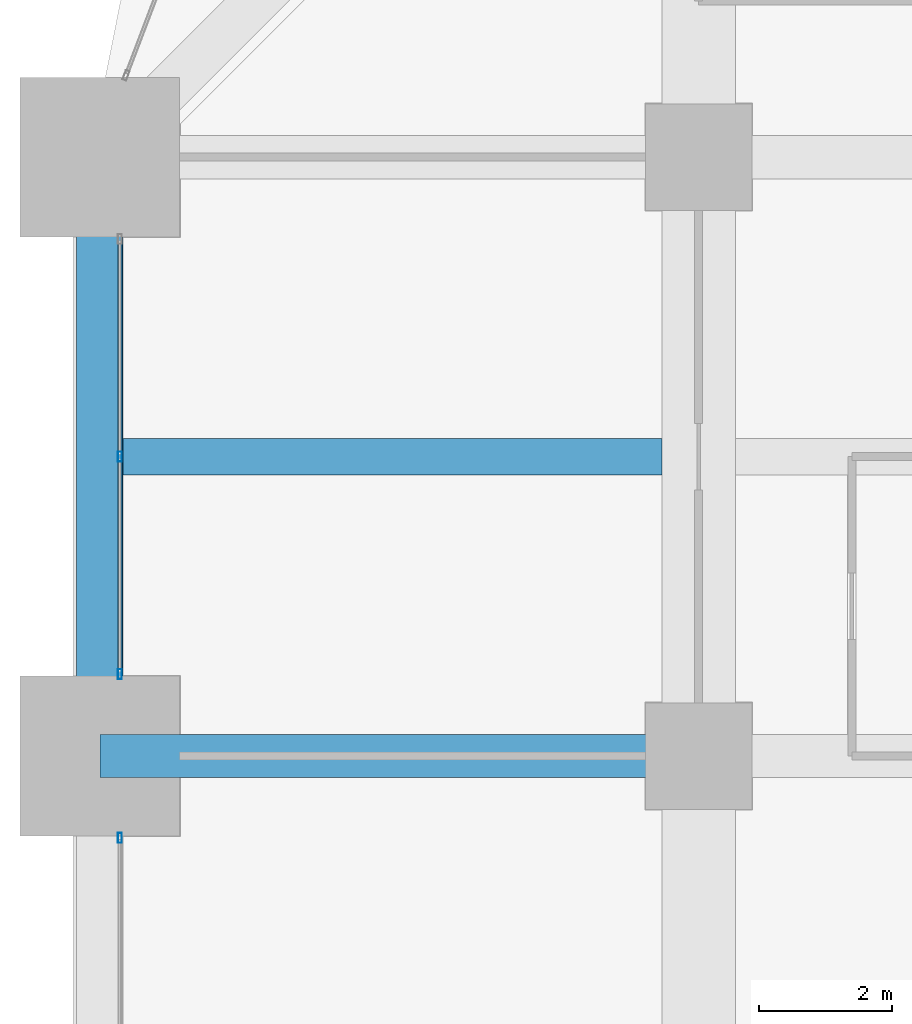
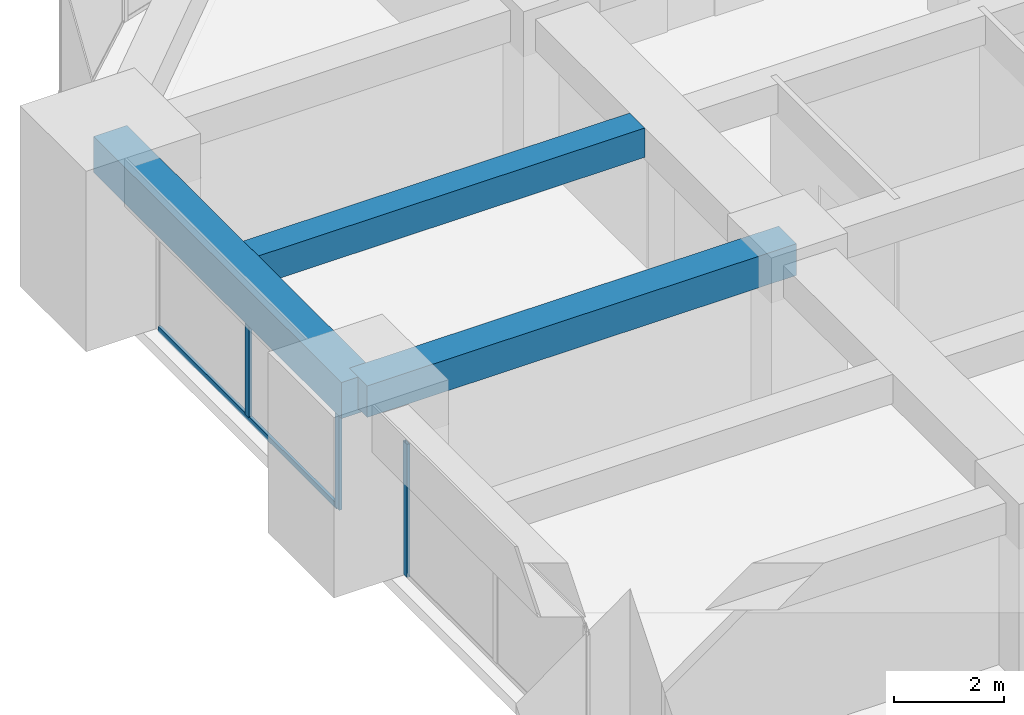
# One storey, part 11 of 32: 4 members, 3 beams, 2 elements without a shape of their own.
"""IFC4 building model written with IfcOpenShell, lengths in metres."""

import ifcopenshell
import ifcopenshell.guid

model = None  # the IFC model being written
_history = None  # IfcOwnerHistory: only IFC2X3 demands one
_inside = {}  # id of a spatial element -> (the spatial element, [elements in it])
_under = {}  # id of a project, library or spatial element -> (it, [spatial elements below it])
_declared = {}  # id of a project -> (the project, [libraries it declares])
_typed = {}  # id of a type object -> (the type object, [elements of that type])
_made_of = {}  # id of a material, layer set ... -> (it, [elements and type objects made of it])


def new_model(schema):
    """Start an empty IFC model of exactly this schema.

    Asked for "IFC4X3", IfcOpenShell would pick the latest addendum, in which some entities
    have other attributes; the version numbers below select the first issue.
    IFC2X3 requires an IfcOwnerHistory on every rooted entity: one is made here for all.
    """
    global model, _history
    if schema == "IFC4X3":
        model = ifcopenshell.file(schema_version=(4, 3, 0, 0))
    else:
        model = ifcopenshell.file(schema=schema)
    _inside.clear()
    _under.clear()
    _declared.clear()
    _typed.clear()
    _made_of.clear()
    _history = None
    if model.schema == "IFC2X3":
        org = make("IfcOrganization", Name="unknown")
        user = make(
            "IfcPersonAndOrganization",
            ThePerson=make("IfcPerson", FamilyName="unknown"),
            TheOrganization=org,
        )
        app = make(
            "IfcApplication",
            ApplicationDeveloper=org,
            Version="unknown",
            ApplicationFullName="unknown",
            ApplicationIdentifier="unknown",
        )
        _history = make(
            "IfcOwnerHistory",
            OwningUser=user,
            OwningApplication=app,
            ChangeAction="ADDED",
            CreationDate=0,
        )
    return model


def make(cls, **values):
    """One entity of the class cls with the attributes given. An attribute that is None is left unset."""
    return model.create_entity(
        cls, **{name: value for name, value in values.items() if value is not None}
    )


def rooted(cls, **values):
    """An entity with a GlobalId (a new one), such as an element, a storey or a relation."""
    return make(cls, GlobalId=ifcopenshell.guid.new(), OwnerHistory=_history, **values)


def si_unit(unit_type, name, prefix=None):
    """IfcSIUnit, for example si_unit("LENGTHUNIT", "METRE", prefix="MILLI")."""
    return make("IfcSIUnit", UnitType=unit_type, Prefix=prefix, Name=name)


def assignment(units):
    """IfcUnitAssignment: the units of a project."""
    return None if units is None else make("IfcUnitAssignment", Units=units)


def point(xyz):
    """IfcCartesianPoint."""
    return None if xyz is None else make("IfcCartesianPoint", Coordinates=xyz)


def direction(xyz):
    """IfcDirection."""
    return None if xyz is None else make("IfcDirection", DirectionRatios=xyz)


def frame(location, z_axis=None, x_axis=None):
    """IfcAxis2Placement3D, a coordinate frame: its origin and axes. An axis left out is left unset."""
    return make(
        "IfcAxis2Placement3D",
        Location=point(location),
        Axis=direction(z_axis),
        RefDirection=direction(x_axis),
    )


def frame_2d(location, x_axis=None):
    """IfcAxis2Placement2D, a coordinate frame in the plane: its origin and x axis."""
    return make(
        "IfcAxis2Placement2D", Location=point(location), RefDirection=direction(x_axis)
    )


def origin():
    """The frame at (0, 0, 0) with its axes left unset."""
    return frame((0.0, 0.0, 0.0))


def origin_2d():
    """The frame at (0, 0) in the plane with its x axis left unset."""
    return frame_2d((0.0, 0.0))


def place(relative_to, where):
    """IfcLocalPlacement: puts the frame where relative to a parent placement (None: the world)."""
    return make(
        "IfcLocalPlacement", PlacementRelTo=relative_to, RelativePlacement=where
    )


def context(
    kind, dimensions, precision=None, world=None, true_north=None, identifier=None
):
    """IfcGeometricRepresentationContext, for example the 3D "Model" context."""
    return make(
        "IfcGeometricRepresentationContext",
        ContextIdentifier=identifier,
        ContextType=kind,
        CoordinateSpaceDimension=dimensions,
        Precision=precision,
        WorldCoordinateSystem=world,
        TrueNorth=true_north,
    )


def subcontext(parent, identifier, kind, view, scale=None):
    """IfcGeometricRepresentationSubContext, for example "Body" below "Model"."""
    return make(
        "IfcGeometricRepresentationSubContext",
        ContextIdentifier=identifier,
        ContextType=kind,
        ParentContext=parent,
        TargetScale=scale,
        TargetView=view,
    )


def project(units=None, contexts=None):
    """IfcProject with its units and contexts."""
    return rooted(
        "IfcProject",
        Name="project",
        RepresentationContexts=contexts,
        UnitsInContext=assignment(units),
    )


def spatial(cls, under=None, at=None, **own):
    """A site, building, storey or space (cls), placed at a placement, below another one or the project."""
    s = rooted(cls, ObjectPlacement=at, **own)
    if under is not None:
        _under.setdefault(under.id(), (under, []))[1].append(s)
    return s


def profile(cls, at=None, kind="AREA", **sizes):
    """A parametric profile (cls). Its sizes go by their IFC names, for example OverallWidth=200.0."""
    return make(cls, ProfileType=kind, Position=at, **sizes)


def rectangle(**sizes):
    """IfcRectangleProfileDef."""
    return profile("IfcRectangleProfileDef", **sizes)


def hollow_rectangle(**sizes):
    """IfcRectangleHollowProfileDef."""
    return profile("IfcRectangleHollowProfileDef", **sizes)


def extrude(swept, where, along, depth):
    """IfcExtrudedAreaSolid: the profile swept, set in the frame where, extruded along a direction by depth."""
    return make(
        "IfcExtrudedAreaSolid",
        SweptArea=swept,
        Position=where,
        ExtrudedDirection=direction(along),
        Depth=depth,
    )


def shape(context_of_items, identifier, shape_type, items):
    """IfcShapeRepresentation: the items that make up one representation, for example the "Body"."""
    return make(
        "IfcShapeRepresentation",
        ContextOfItems=context_of_items,
        RepresentationIdentifier=identifier,
        RepresentationType=shape_type,
        Items=items,
    )


def material(Name=None, Category=None):
    """IfcMaterial."""
    return make("IfcMaterial", Name=Name, Category=Category)


def material_profile(
    of_material, cross_section, Name=None, Category=None, Priority=None
):
    """IfcMaterialProfile: a cross section and its material."""
    return make(
        "IfcMaterialProfile",
        Name=Name,
        Material=of_material,
        Profile=cross_section,
        Priority=Priority,
        Category=Category,
    )


def profile_set(profiles, Name=None, composite=None):
    """IfcMaterialProfileSet."""
    return make(
        "IfcMaterialProfileSet",
        Name=Name,
        MaterialProfiles=profiles,
        CompositeProfile=composite,
    )


def made_of(thing, what):
    """Note that an element or type object is made of a material, layer set ...; save() writes the relation."""
    if what is not None:
        _made_of.setdefault(what.id(), (what, []))[1].append(thing)
    return thing


def type_object(cls, material=None, **own):
    """A type object (cls), such as IfcWallType, which elements share."""
    return made_of(rooted(cls, **own), material)


def element(
    cls,
    number,
    at=None,
    inside=None,
    cuts=None,
    type_object=None,
    material=None,
    context=None,
    identifier="Body",
    shape_type=None,
    held_by="IfcProductDefinitionShape",
    body=None,
    shapes=None,
    **own,
):
    """One element of the class cls, such as IfcWall. Its Tag is "e" and its number.

    at: its placement. inside: the storey or other place that contains it. cuts: it is an
    opening in that element (IfcRelVoidsElement). A single representation is given by context,
    identifier, shape_type and body (its items); several are given by shapes. held_by: the class
    of the entity that holds the representations. save() writes the other relations.
    """
    e = rooted(cls, Tag="e%d" % number, ObjectPlacement=at, **own)
    if body is not None:
        shapes = [shape(context, identifier, shape_type, body)]
    if shapes is not None:
        e.Representation = make(held_by, Representations=shapes)
    if inside is not None:
        _inside.setdefault(inside.id(), (inside, []))[1].append(e)
    if cuts is not None:
        rooted(
            "IfcRelVoidsElement", RelatingBuildingElement=cuts, RelatedOpeningElement=e
        )
    if type_object is not None:
        _typed.setdefault(type_object.id(), (type_object, []))[1].append(e)
    return made_of(e, material)


def aggregate(whole, parts):
    """IfcRelAggregates: a whole, such as a stair, and the parts it consists of."""
    return rooted("IfcRelAggregates", RelatingObject=whole, RelatedObjects=parts)


def save(model, path):
    """Write the relations noted so far, then the file.

    IfcRelAggregates (storeys below a building ...), IfcRelContainedInSpatialStructure (elements
    in a storey), IfcRelDefinesByType, IfcRelAssociatesMaterial and IfcRelDeclares: one each for
    every whole, place, type object, material and project.
    """
    for whole, parts in _under.values():
        aggregate(whole, parts)
    for where, things in _inside.values():
        rooted(
            "IfcRelContainedInSpatialStructure",
            RelatedElements=things,
            RelatingStructure=where,
        )
    for kind, things in _typed.values():
        rooted("IfcRelDefinesByType", RelatedObjects=things, RelatingType=kind)
    for what, things in _made_of.values():
        rooted("IfcRelAssociatesMaterial", RelatedObjects=things, RelatingMaterial=what)
    for by, libraries in _declared.values():
        rooted("IfcRelDeclares", RelatingContext=by, RelatedDefinitions=libraries)
    model.write(path)


model = new_model("IFC4")

# Units and contexts
model_context = context("Model", 3, precision=1e-05, world=origin(), true_north=direction((0.0, 1.0)))
body_context = subcontext(model_context, "Body", "Model", "MODEL_VIEW")
ifc_project = project(units=[si_unit("LENGTHUNIT", "METRE"), si_unit("AREAUNIT", "SQUARE_METRE"), si_unit("VOLUMEUNIT", "CUBIC_METRE"), si_unit("PLANEANGLEUNIT", "RADIAN"), si_unit("MASSUNIT", "GRAM", prefix="KILO")], contexts=[model_context])

# Site, building, storey
site_placement = place(None, origin())
site = spatial("IfcSite", under=ifc_project, at=site_placement, CompositionType="ELEMENT")
building_placement = place(site_placement, origin())
building = spatial("IfcBuilding", under=site, at=building_placement, Name="Zorevar Civic Tower", CompositionType="ELEMENT")
storey_placement = place(building_placement, frame((0.0, 0.0, 190.199951171875)))
storey = spatial("IfcBuildingStorey", under=building, at=storey_placement, Name="L46", CompositionType="ELEMENT", Elevation=190.199951171875)

# Beams
ifc_material_1 = material(Name="Concrete C50/60", Category="concrete")
ifc_material_profile_1 = material_profile(ifc_material_1, rectangle(XDim=0.550048828125, YDim=0.64990234375, at=origin_2d()), Name="RC 550x650")
ifc_profile_set_1 = profile_set([ifc_material_profile_1], Name="Concrete C50/60")
beam_type_1 = type_object("IfcBeamType", Name="Beam RC 550x650", PredefinedType="BEAM", material=ifc_profile_set_1)
beam_1_placement = place(storey_placement, frame((0.35009765625, 31.5, 3.425048828125), z_axis=(1.0, 0.0, 0.0), x_axis=(0.0, 1.0, 0.0)))
element("IfcBeam", 1, at=beam_1_placement, inside=storey, type_object=beam_type_1, Name="Secondary beam L47", PredefinedType="BEAM", context=body_context, shape_type="SweptSolid", body=[
    extrude(rectangle(XDim=0.550048828125, YDim=0.64990234375, at=origin_2d()), origin(), (0.0, 0.0, 1.0), 8.099853515625),
])
ifc_material_2 = material(Name="Concrete C50/60", Category="concrete")
ifc_material_profile_2 = material_profile(ifc_material_2, rectangle(XDim=0.64990234375, YDim=0.699951171875, at=origin_2d()), Name="RC 650x700")
ifc_profile_set_2 = profile_set([ifc_material_profile_2], Name="Concrete C50/60")
beam_type_2 = type_object("IfcBeamType", Name="Beam RC 650x700", PredefinedType="BEAM", material=ifc_profile_set_2)
beam_2_placement = place(storey_placement, frame((0.0, 27.0, 3.400146484375), z_axis=(1.0, 0.0, 0.0), x_axis=(0.0, 1.0, 0.0)))
element("IfcBeam", 2, at=beam_2_placement, inside=storey, type_object=beam_type_2, Name="Girder L47", PredefinedType="BEAM", context=body_context, shape_type="SweptSolid", body=[
    extrude(rectangle(XDim=0.64990234375, YDim=0.699951171875, at=origin_2d()), origin(), (0.0, 0.0, 1.0), 9.0),
])

# Curtain wall, member
ifc_material_3 = material(Name="Dark grey solar-control glass in black aluminium frame", Category="aluminium")
curtain_wall_type = type_object("IfcCurtainWallType", Name="Curtain wall CW4 high zone", PredefinedType="NOTDEFINED", material=ifc_material_3)
curtain_wall_1_placement = place(storey_placement, origin())
curtain_wall_1 = element("IfcCurtainWall", 3, at=curtain_wall_1_placement, inside=storey, type_object=curtain_wall_type, Name="CW4 L46", PredefinedType="NOTDEFINED")
ifc_material_4 = material(Name="Aluminium, black anodised", Category="aluminium")
ifc_material_profile_3 = material_profile(ifc_material_4, hollow_rectangle(XDim=0.06005859375, YDim=0.14990234375, WallThickness=0.00390625, at=origin_2d()), Name="AL 150x60x4")
ifc_profile_set_3 = profile_set([ifc_material_profile_3], Name="Aluminium, black anodised")
member_type_1 = type_object("IfcMemberType", Name="CW4 mullion AL 150x60x4", PredefinedType="MULLION", material=ifc_profile_set_3)
member_1_placement = place(storey_placement, frame((0.300048828125, 25.77001953125, 0.0), z_axis=(0.0, 0.0, 1.0), x_axis=(-1.0, 0.0, 0.0)))
member_1 = element("IfcMember", 4, at=member_1_placement, type_object=member_type_1, Name="CW4 mullion 3", PredefinedType="MULLION", context=body_context, shape_type="SweptSolid", body=[
    extrude(hollow_rectangle(XDim=0.06005859375, YDim=0.14990234375, WallThickness=0.00390625, at=origin_2d()), origin(), (0.0, 0.0, 1.0), 2.949951171875),
])
aggregate(curtain_wall_1, [member_1])

# Curtain wall, members
curtain_wall_2_placement = place(storey_placement, origin())
curtain_wall_2 = element("IfcCurtainWall", 5, at=curtain_wall_2_placement, inside=storey, type_object=curtain_wall_type, Name="CW4 L46", PredefinedType="NOTDEFINED")
member_2_placement = place(storey_placement, frame((0.300048828125, 28.22998046875, 0.0), z_axis=(0.0, 0.0, 1.0), x_axis=(-1.0, 0.0, 0.0)))
member_2 = element("IfcMember", 6, at=member_2_placement, type_object=member_type_1, Name="CW4 mullion 1", PredefinedType="MULLION", context=body_context, shape_type="SweptSolid", body=[
    extrude(hollow_rectangle(XDim=0.06005859375, YDim=0.14990234375, WallThickness=0.00390625, at=origin_2d()), origin(), (0.0, 0.0, 1.0), 2.949951171875),
])
member_3_placement = place(storey_placement, frame((0.300048828125, 31.5, 0.06005859375), z_axis=(0.0, 0.0, 1.0), x_axis=(-1.0, 0.0, 0.0)))
member_3 = element("IfcMember", 7, at=member_3_placement, type_object=member_type_1, Name="CW4 mullion 2", PredefinedType="MULLION", context=body_context, shape_type="SweptSolid", body=[
    extrude(hollow_rectangle(XDim=0.06005859375, YDim=0.14990234375, WallThickness=0.00390625, at=origin_2d()), origin(), (0.0, 0.0, 1.0), 2.889892578125),
])
ifc_material_5 = material(Name="Aluminium, black anodised", Category="aluminium")
ifc_material_profile_4 = material_profile(ifc_material_5, hollow_rectangle(XDim=0.06005859375, YDim=0.1201171875, WallThickness=0.0029296875, at=origin_2d()), Name="AL 120x60x3")
ifc_profile_set_4 = profile_set([ifc_material_profile_4], Name="Aluminium, black anodised")
member_type_2 = type_object("IfcMemberType", Name="CW4 transom AL 120x60x3", PredefinedType="USERDEFINED", material=ifc_profile_set_4)
member_4_placement = place(storey_placement, frame((0.300048828125, 28.260009765625, 0.030029296875), z_axis=(0.0, 1.0, 0.0), x_axis=(-1.0, 0.0, 0.0)))
member_4 = element("IfcMember", 8, at=member_4_placement, type_object=member_type_2, Name="CW4 sill transom", ObjectType="TRANSOM", PredefinedType="USERDEFINED", context=body_context, shape_type="SweptSolid", body=[
    extrude(hollow_rectangle(XDim=0.06005859375, YDim=0.1201171875, WallThickness=0.0029296875, at=origin_2d()), origin(), (0.0, 0.0, 1.0), 6.47998046875),
])
aggregate(curtain_wall_2, [member_2, member_3, member_4])

# Beam
ifc_material_6 = material(Name="Concrete C50/60", Category="concrete")
ifc_material_profile_5 = material_profile(ifc_material_6, rectangle(XDim=0.699951171875, YDim=0.800048828125, at=origin_2d()), Name="RC 700x800")
ifc_profile_set_5 = profile_set([ifc_material_profile_5], Name="Concrete C50/60")
beam_type_3 = type_object("IfcBeamType", Name="Edge beam RC 700x800", PredefinedType="SPANDREL", material=ifc_profile_set_5)
beam_3_placement = place(storey_placement, frame((0.0, 27.0, 3.35009765625), z_axis=(0.0, 1.0, 0.0), x_axis=(-1.0, 0.0, 0.0)))
element("IfcBeam", 9, at=beam_3_placement, inside=storey, type_object=beam_type_3, Name="Edge beam L47", PredefinedType="SPANDREL", context=body_context, shape_type="SweptSolid", body=[
    extrude(rectangle(XDim=0.699951171875, YDim=0.800048828125, at=origin_2d()), origin(), (0.0, 0.0, 1.0), 9.0),
])

save(model, "model.ifc")
